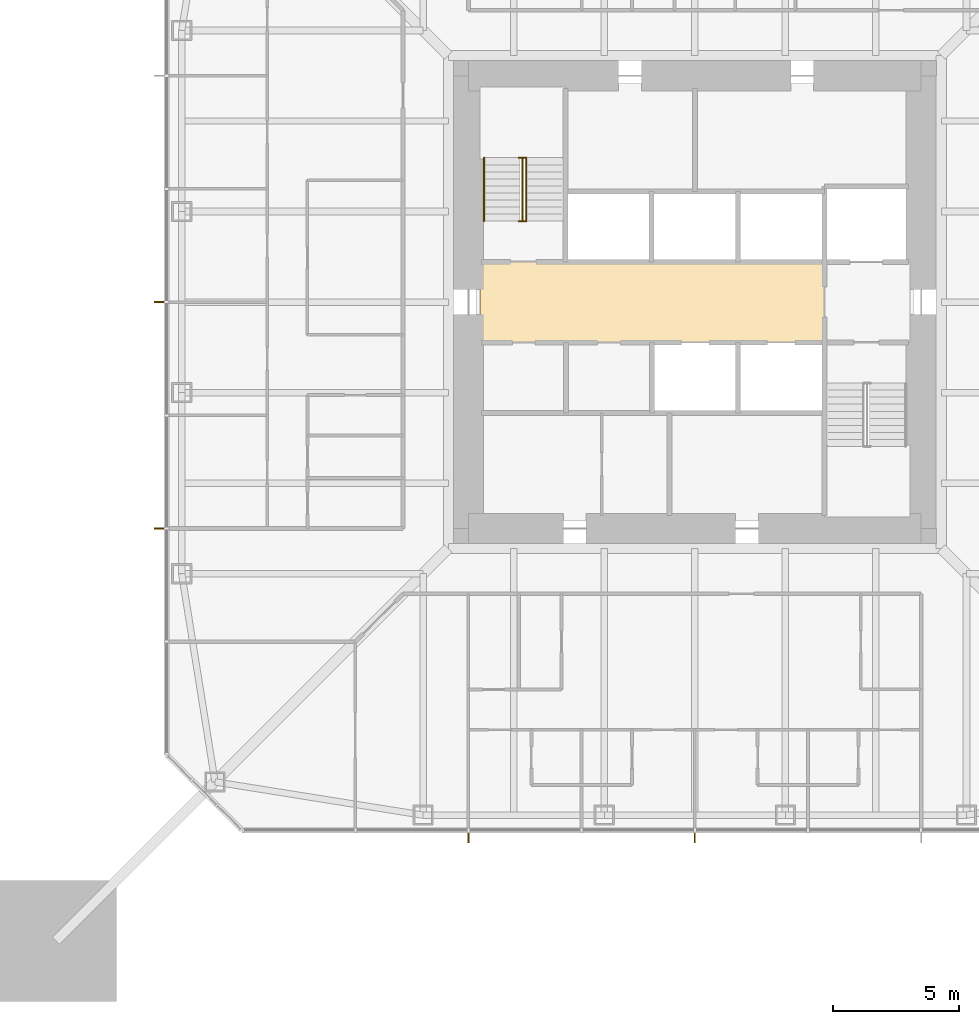
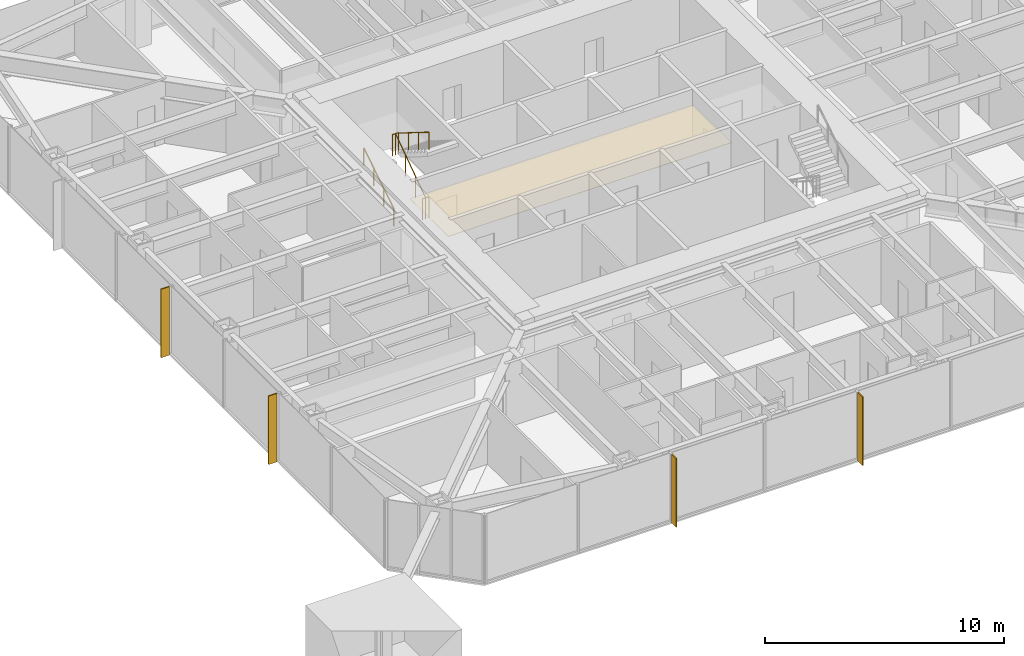
# One storey, part 21 of 25: 4 shading devices, 3 railings, 1 covering.
"""IFC4 building model written with IfcOpenShell, lengths in metres."""

from ifc_helpers import new_model, si_unit, direction, frame, origin, origin_2d, place, context, subcontext, project, spatial, polyline, rectangle, circle, outline, extrude, material, layer, layer_set, constituent, constituent_set, type_object, element, save


model = new_model("IFC4")

# Units and contexts
model_context = context("Model", 3, precision=1e-05, world=origin(), true_north=direction((0.0, 1.0)))
body_context = subcontext(model_context, "Body", "Model", "MODEL_VIEW")
ifc_project = project(units=[si_unit("LENGTHUNIT", "METRE"), si_unit("AREAUNIT", "SQUARE_METRE"), si_unit("VOLUMEUNIT", "CUBIC_METRE"), si_unit("PLANEANGLEUNIT", "RADIAN"), si_unit("MASSUNIT", "GRAM", prefix="KILO")], contexts=[model_context])

# Site, building, storey
site_placement = place(None, origin())
site = spatial("IfcSite", under=ifc_project, at=site_placement, CompositionType="ELEMENT")
building_placement = place(site_placement, origin())
building = spatial("IfcBuilding", under=site, at=building_placement, Name="Iwan Alto Co-Living Towers", CompositionType="ELEMENT")
storey_placement = place(building_placement, frame((0.0, 0.0, 101.5)))
storey = spatial("IfcBuildingStorey", under=building, at=storey_placement, Name="L27", CompositionType="ELEMENT", Elevation=101.5)

# Covering
ifc_material_1 = material(Name="Mineral fibre acoustic tiles on steel grid", Category="steel")
ifc_layer_1 = layer(ifc_material_1, 0.02001953125)
ifc_layer_set_1 = layer_set([ifc_layer_1], Name="ACOUSTIC TILE CEILING 20")
covering_type = type_object("IfcCoveringType", Name="ACOUSTIC TILE CEILING 20", PredefinedType="CEILING", material=ifc_layer_set_1)
covering_placement = place(storey_placement, frame((0.0, 0.0, 2.60009765625)))
element("IfcCovering", 1, at=covering_placement, inside=storey, type_object=covering_type, Name="Ceiling Lift lobby L27", PredefinedType="CEILING", context=body_context, shape_type="SweptSolid", body=[
    extrude(outline(polyline([(-8.550048828125, -1.60009765625), (-8.550048828125, 1.60009765625), (5.14990234375, 1.60009765625), (5.14990234375, -1.60009765625), (-8.550048828125, -1.60009765625)])), origin(), (0.0, 0.0, 1.0), 0.02001953125),
])

# Shading devices
ifc_material_2 = material(Name="Aluminium 6063-T6 bronze anodised", Category="aluminium")
ifc_layer_2 = layer(ifc_material_2, 0.050048828125)
ifc_layer_set_2 = layer_set([ifc_layer_2], Name="BRONZE FIN 50X400")
shading_device_type = type_object("IfcShadingDeviceType", Name="BRONZE FIN 50X400", PredefinedType="USERDEFINED", material=ifc_layer_set_2)
for number, where, z_axis, x_axis, name in (
    (2, (-9.0, -21.300048828125, 0.0), (0.0, 0.0, 1.0), (1.0, 0.0, 0.0), "Bronze fin L27"),
    (3, (0.0, -21.300048828125, 0.0), (0.0, 0.0, 1.0), (1.0, 0.0, 0.0), "Bronze fin L27"),
    (4, (-21.300048828125, 0.0, 0.0), (0.0, 0.0, 1.0), (0.0, -1.0, 0.0), "Bronze fin L27"),
    (5, (-21.300048828125, -9.0, 0.0), (0.0, 0.0, 1.0), (0.0, -1.0, 0.0), "Bronze fin L27"),
):
    element("IfcShadingDevice", number, at=place(storey_placement, frame(where, z_axis=z_axis, x_axis=x_axis)), inside=storey, type_object=shading_device_type, Name=name, ObjectType="LOUVER", PredefinedType="USERDEFINED", context=body_context, shape_type="SweptSolid", body=[
        extrude(rectangle(XDim=0.050048828125, YDim=0.39990234375, at=origin_2d()), origin(), (0.0, 0.0, 1.0), 3.5),
    ])

# Railings
ifc_material_3 = material(Name="Steel ASTM A500 Gr C", Category="steel")
ifc_constituent_1 = constituent(ifc_material_3, Name="Rails and posts", Category="Framing")
ifc_material_4 = material(Name="Steel ASTM A36", Category="steel")
ifc_constituent_2 = constituent(ifc_material_4, Name="Bar infill", Category="Infill")
ifc_constituent_set = constituent_set(constituents=[ifc_constituent_1, ifc_constituent_2], Name="STAIR GUARD 1100")
railing_type_1 = type_object("IfcRailingType", Name="STAIR GUARD 1100", PredefinedType="GUARDRAIL", material=ifc_constituent_set)
railing_1_placement = place(storey_placement, frame((-6.85009765625, 3.219970703125, 0.0)))
element("IfcRailing", 6, at=railing_1_placement, inside=storey, type_object=railing_type_1, Name="Stair T1-S1 well guard L27", PredefinedType="GUARDRAIL", context=body_context, shape_type="SweptSolid", body=[
    extrude(circle(Radius=0.02392578125, at=origin_2d()), frame((0.0, 0.0, 1.076171875), z_axis=(0.0, 0.821372036852, 0.570392826987), x_axis=(-1.0, 0.0, 0.0)), (0.0, 0.0, 1.0), 3.068115234375),
    extrude(circle(Radius=0.02392578125, at=origin_2d()), frame((-0.14990234375, 0.0, 1.076171875), z_axis=(1.0, 0.0, 0.0), x_axis=(0.0, 1.0, 0.0)), (0.0, 0.0, 1.0), 0.300048828125),
    extrude(circle(Radius=0.02392578125, at=origin_2d()), frame((-0.14990234375, 2.52001953125, 2.826171875), z_axis=(1.0, 0.0, 0.0), x_axis=(0.0, 1.0, 0.0)), (0.0, 0.0, 1.0), 0.300048828125),
    extrude(circle(Radius=0.02099609375, at=origin_2d()), origin(), (0.0, 0.0, 1.0), 1.052001953125),
    extrude(circle(Radius=0.02099609375, at=origin_2d()), frame((0.0, 0.840087890625, 0.583251953125)), (0.0, 0.0, 1.0), 1.052001953125),
    extrude(circle(Radius=0.02099609375, at=origin_2d()), frame((0.0, 1.679931640625, 1.166748046875)), (0.0, 0.0, 1.0), 1.052001953125),
    extrude(circle(Radius=0.02099609375, at=origin_2d()), frame((0.0, 2.52001953125, 1.75)), (0.0, 0.0, 1.0), 1.052001953125),
    extrude(circle(Radius=0.02099609375, at=origin_2d()), frame((-0.14990234375, 0.0, 0.0)), (0.0, 0.0, 1.0), 1.052001953125),
    extrude(circle(Radius=0.02099609375, at=origin_2d()), frame((0.150146484375, 0.0, 0.0)), (0.0, 0.0, 1.0), 1.052001953125),
    extrude(circle(Radius=0.02099609375, at=origin_2d()), frame((-0.14990234375, 2.52001953125, 1.75)), (0.0, 0.0, 1.0), 1.052001953125),
    extrude(circle(Radius=0.02099609375, at=origin_2d()), frame((0.150146484375, 2.52001953125, 1.75)), (0.0, 0.0, 1.0), 1.052001953125),
])
ifc_material_5 = material(Name="Steel ASTM A500 Gr C", Category="steel")
railing_type_2 = type_object("IfcRailingType", Name="STAIR HANDRAIL 900", PredefinedType="HANDRAIL", material=ifc_material_5)
railing_2_placement = place(storey_placement, frame((-8.3798828125, 3.219970703125, 0.175048828125)))
element("IfcRailing", 7, at=railing_2_placement, inside=storey, type_object=railing_type_2, Name="Stair T1-S1 handrail 1 L27", PredefinedType="HANDRAIL", context=body_context, shape_type="SweptSolid", body=[
    extrude(circle(Radius=0.02392578125, at=origin_2d()), frame((0.0, 0.0, 0.8759765625), z_axis=(0.0, 0.848007534815, 0.529984170421), x_axis=(-1.0, 0.0, 0.0)), (0.0, 0.0, 1.0), 2.9716796875),
    extrude(circle(Radius=0.02099609375, at=origin_2d()), origin(), (0.0, 0.0, 1.0), 0.851806640625),
    extrude(circle(Radius=0.02099609375, at=origin_2d()), frame((0.0, 0.840087890625, 0.52490234375)), (0.0, 0.0, 1.0), 0.851806640625),
    extrude(circle(Radius=0.02099609375, at=origin_2d()), frame((0.0, 1.679931640625, 1.050048828125)), (0.0, 0.0, 1.0), 0.851806640625),
    extrude(circle(Radius=0.02099609375, at=origin_2d()), frame((0.0, 2.52001953125, 1.574951171875)), (0.0, 0.0, 1.0), 0.851806640625),
])
railing_3_placement = place(storey_placement, frame((-6.699951171875, 5.739990234375, 1.925048828125)))
element("IfcRailing", 8, at=railing_3_placement, inside=storey, type_object=railing_type_2, Name="Stair T1-S1 handrail 2 L27", PredefinedType="HANDRAIL", context=body_context, shape_type="SweptSolid", body=[
    extrude(circle(Radius=0.02392578125, at=origin_2d()), frame((0.0, 0.0, 0.8759765625), z_axis=(0.0, -0.848007534815, 0.529984170421), x_axis=(1.0, 0.0, 0.0)), (0.0, 0.0, 1.0), 2.9716796875),
    extrude(circle(Radius=0.02099609375, at=origin_2d()), origin(), (0.0, 0.0, 1.0), 0.851806640625),
    extrude(circle(Radius=0.02099609375, at=origin_2d()), frame((0.0, -0.840087890625, 0.52490234375)), (0.0, 0.0, 1.0), 0.851806640625),
    extrude(circle(Radius=0.02099609375, at=origin_2d()), frame((0.0, -1.679931640625, 1.050048828125)), (0.0, 0.0, 1.0), 0.851806640625),
    extrude(circle(Radius=0.02099609375, at=origin_2d()), frame((0.0, -2.52001953125, 1.574951171875)), (0.0, 0.0, 1.0), 0.851806640625),
])

save(model, "model.ifc")
